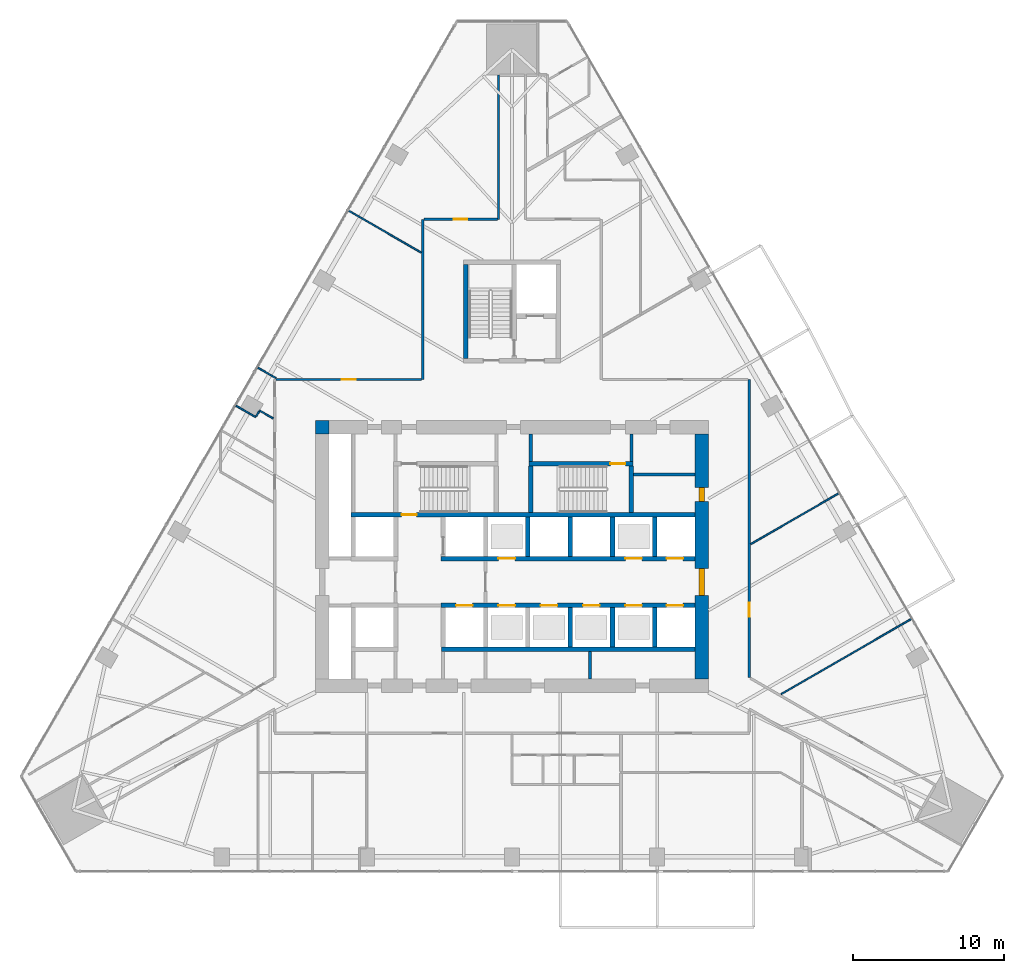
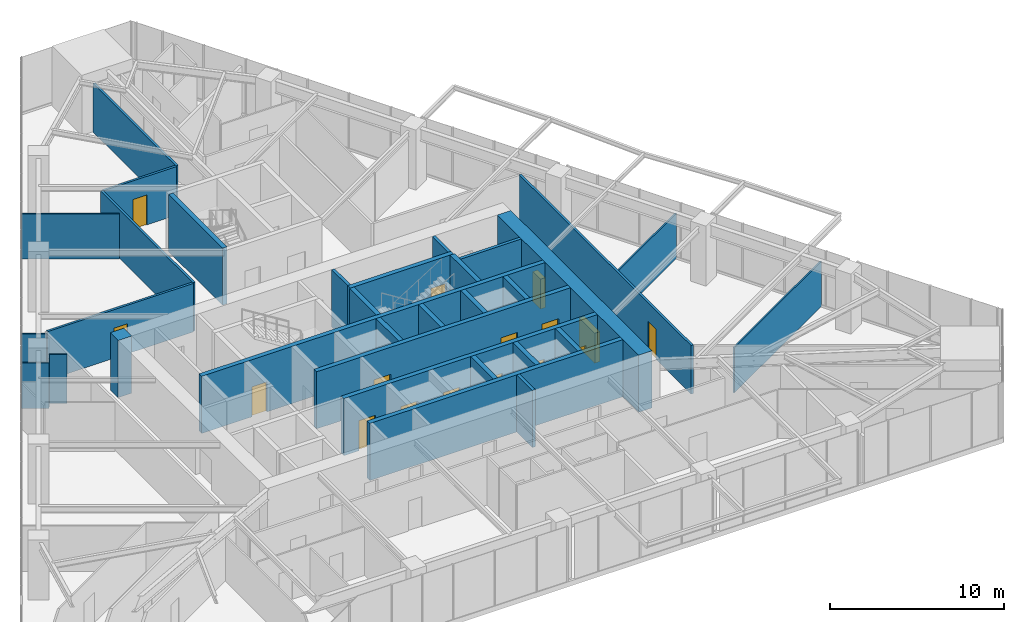
# One storey, part 25 of 29: 33 walls, 16 doors, 16 openings.
"""IFC4 building model written with IfcOpenShell, lengths in metres."""

from ifc_helpers import new_model, si_unit, direction, frame, frame_2d, origin, place, context, subcontext, project, spatial, rectangle, extrude, material, layer, layer_set, type_object, element, fill, save


model = new_model("IFC4")

# Units and contexts
model_context = context("Model", 3, precision=1e-05, world=origin(), true_north=direction((0.0, 1.0)))
body_context = subcontext(model_context, "Body", "Model", "MODEL_VIEW")
ifc_project = project(units=[si_unit("LENGTHUNIT", "METRE"), si_unit("AREAUNIT", "SQUARE_METRE"), si_unit("VOLUMEUNIT", "CUBIC_METRE"), si_unit("PLANEANGLEUNIT", "RADIAN"), si_unit("MASSUNIT", "GRAM", prefix="KILO")], contexts=[model_context])

# Site, building, storey
site_placement = place(None, origin())
site = spatial("IfcSite", under=ifc_project, at=site_placement, CompositionType="ELEMENT")
building_placement = place(site_placement, origin())
building = spatial("IfcBuilding", under=site, at=building_placement, Name="Firuza Gate Tower and Library", CompositionType="ELEMENT")
storey_placement = place(building_placement, frame((0.0, 0.0, 44.199951171875)))
storey = spatial("IfcBuildingStorey", under=building, at=storey_placement, Name="L09", CompositionType="ELEMENT", Elevation=44.199951171875)

# Walls
ifc_material_1 = material(Name="Plasterboard on steel studs", Category="steel")
ifc_layer_1 = layer(ifc_material_1, 0.199951171875)
ifc_layer_set_1 = layer_set([ifc_layer_1], Name="Core partition 200 EI 120")
wall_type_1 = type_object("IfcWallType", Name="Core partition 200 EI 120", PredefinedType="PARTITIONING", material=ifc_layer_set_1)
wall_1_placement = place(storey_placement, frame((80.175048828125, 66.89990234375, 0.0), z_axis=(0.0, 0.0, 1.0), x_axis=(0.0, 1.0, 0.0)))
element("IfcWall", 1, at=wall_1_placement, inside=storey, type_object=wall_type_1, Name="Core partition L09 15", PredefinedType="PARTITIONING", context=body_context, shape_type="SweptSolid", body=[
    extrude(rectangle(XDim=1.800048828125, YDim=0.199951171875, at=frame_2d((0.89990234375, 0.0))), origin(), (0.0, 0.0, 1.0), 4.0),
])
ifc_material_2 = material(Name="Plasterboard on steel studs", Category="steel")
ifc_layer_2 = layer(ifc_material_2, 0.199951171875)
ifc_layer_set_2 = layer_set([ifc_layer_2], Name="Core partition 200 EI 60")
wall_type_2 = type_object("IfcWallType", Name="Core partition 200 EI 60", PredefinedType="PARTITIONING", material=ifc_layer_set_2)
wall_2_placement = place(storey_placement, frame((83.050048828125, 80.425048828125, 0.0), z_axis=(0.0, 0.0, 1.0), x_axis=(1.0, 0.0, 0.0)))
element("IfcWall", 2, at=wall_2_placement, inside=storey, type_object=wall_type_2, Name="Core partition L09 4", PredefinedType="PARTITIONING", context=body_context, shape_type="SweptSolid", body=[
    extrude(rectangle(XDim=4.050048828125, YDim=0.199951171875, at=frame_2d((2.02490234375, 0.0))), origin(), (0.0, 0.0, 1.0), 4.0),
])
for number, where, z_axis, x_axis, name in (
    (3, (76.239990234375, 81.280029296875, 0.0), (0.0, 0.0, 1.0), (0.0, 1.0, 0.0), "Core partition L09 14"),
    (4, (82.89990234375, 81.280029296875, 0.0), (0.0, 0.0, 1.0), (0.0, 1.0, 0.0), "Core partition L09 16"),
):
    element("IfcWall", number, at=place(storey_placement, frame(where, z_axis=z_axis, x_axis=x_axis)), inside=storey, type_object=wall_type_2, Name=name, PredefinedType="PARTITIONING", context=body_context, shape_type="SweptSolid", body=[
        extrude(rectangle(XDim=1.820068359375, YDim=0.199951171875, at=frame_2d((0.91015625, 0.0))), origin(), (0.0, 0.0, 1.0), 4.0),
    ])
ifc_material_3 = material(Name="Concrete C80/95", Category="concrete")
ifc_layer_3 = layer(ifc_material_3, 0.300048828125)
ifc_layer_set_3 = layer_set([ifc_layer_3], Name="Core wall 300 C80/95")
wall_type_3 = type_object("IfcWallType", Name="Core wall 300 C80/95", PredefinedType="SHEAR", material=ifc_layer_set_3)
wall_3_placement = place(storey_placement, frame((70.35009765625, 68.85009765625, 0.0), z_axis=(0.0, 0.0, 1.0), x_axis=(1.0, 0.0, 0.0)))
element("IfcWall", 5, at=wall_3_placement, inside=storey, type_object=wall_type_3, Name="Core wall L09 6", PredefinedType="SHEAR", context=body_context, shape_type="SweptSolid", body=[
    extrude(rectangle(XDim=16.75, YDim=0.300048828125, at=frame_2d((8.375, 0.0))), origin(), (0.0, 0.0, 1.0), 4.0),
])

# Wall, openings, doors
wall_4_placement = place(storey_placement, frame((70.300048828125, 71.75, 0.0), z_axis=(0.0, 0.0, 1.0), x_axis=(1.0, 0.0, 0.0)))
wall_4 = element("IfcWall", 6, at=wall_4_placement, inside=storey, type_object=wall_type_3, Name="Core wall L09 8", PredefinedType="SHEAR", context=body_context, shape_type="SweptSolid", body=[
    extrude(rectangle(XDim=16.800048828125, YDim=0.300048828125, at=frame_2d((8.39990234375, 0.0))), origin(), (0.0, 0.0, 1.0), 4.0),
])
opening_1_placement = place(wall_4_placement, frame((1.0, 0.0, 0.0)))
opening_1 = element("IfcOpeningElement", 7, at=opening_1_placement, cuts=wall_4, Name="Opening LD-FF1-L09", PredefinedType="OPENING", context=body_context, shape_type="SweptSolid", body=[
    extrude(rectangle(XDim=1.10009765625, YDim=2.10009765625, at=frame_2d((0.550048828125, 1.050048828125))), frame((0.0, 0.16015625, 0.0), z_axis=(0.0, -1.0, 0.0), x_axis=(1.0, 0.0, 0.0)), (0.0, 0.0, 1.0), 0.320068359375),
])
opening_2_placement = place(wall_4_placement, frame((3.800048828125, 0.0, 0.0)))
opening_2 = element("IfcOpeningElement", 8, at=opening_2_placement, cuts=wall_4, Name="Opening LD-LR1-L09", PredefinedType="OPENING", context=body_context, shape_type="SweptSolid", body=[
    extrude(rectangle(XDim=1.10009765625, YDim=2.10009765625, at=frame_2d((0.550048828125, 1.050048828125))), frame((0.0, 0.16015625, 0.0), z_axis=(0.0, -1.0, 0.0), x_axis=(1.0, 0.0, 0.0)), (0.0, 0.0, 1.0), 0.320068359375),
])
opening_3_placement = place(wall_4_placement, frame((6.60009765625, 0.0, 0.0)))
opening_3 = element("IfcOpeningElement", 9, at=opening_3_placement, cuts=wall_4, Name="Opening LD-LR2-L09", PredefinedType="OPENING", context=body_context, shape_type="SweptSolid", body=[
    extrude(rectangle(XDim=1.10009765625, YDim=2.10009765625, at=frame_2d((0.550048828125, 1.050048828125))), frame((0.0, 0.16015625, 0.0), z_axis=(0.0, -1.0, 0.0), x_axis=(1.0, 0.0, 0.0)), (0.0, 0.0, 1.0), 0.320068359375),
])
opening_4_placement = place(wall_4_placement, frame((9.39990234375, 0.0, 0.0)))
opening_4 = element("IfcOpeningElement", 10, at=opening_4_placement, cuts=wall_4, Name="Opening LD-LR3-L09", PredefinedType="OPENING", context=body_context, shape_type="SweptSolid", body=[
    extrude(rectangle(XDim=1.10009765625, YDim=2.10009765625, at=frame_2d((0.550048828125, 1.050048828125))), frame((0.0, 0.16015625, 0.0), z_axis=(0.0, -1.0, 0.0), x_axis=(1.0, 0.0, 0.0)), (0.0, 0.0, 1.0), 0.320068359375),
])
opening_5_placement = place(wall_4_placement, frame((12.199951171875, 0.0, 0.0)))
opening_5 = element("IfcOpeningElement", 11, at=opening_5_placement, cuts=wall_4, Name="Opening LD-LR5-L09", PredefinedType="OPENING", context=body_context, shape_type="SweptSolid", body=[
    extrude(rectangle(XDim=1.10009765625, YDim=2.10009765625, at=frame_2d((0.550048828125, 1.050048828125))), frame((0.0, 0.16015625, 0.0), z_axis=(0.0, -1.0, 0.0), x_axis=(1.0, 0.0, 0.0)), (0.0, 0.0, 1.0), 0.320068359375),
])
opening_6_placement = place(wall_4_placement, frame((14.925048828125, 0.0, 0.0)))
opening_6 = element("IfcOpeningElement", 12, at=opening_6_placement, cuts=wall_4, Name="Opening LD-LR7-L09", PredefinedType="OPENING", context=body_context, shape_type="SweptSolid", body=[
    extrude(rectangle(XDim=1.10009765625, YDim=2.10009765625, at=frame_2d((0.550048828125, 1.050048828125))), frame((0.0, 0.16015625, 0.0), z_axis=(0.0, -1.0, 0.0), x_axis=(1.0, 0.0, 0.0)), (0.0, 0.0, 1.0), 0.320068359375),
])
ifc_material_4 = material(Name="Stainless steel", Category="steel")
door_type_1 = type_object("IfcDoorType", Name="Lift landing door 1100x2100", OperationType="DOUBLE_DOOR_SLIDING", PredefinedType="DOOR", material=ifc_material_4)
door_1_placement = place(opening_1_placement, origin())
door_1 = element("IfcDoor", 13, at=door_1_placement, inside=storey, type_object=door_type_1, Name="Landing door FF1 L09", OperationType="DOUBLE_DOOR_SLIDING", OverallHeight=2.10009765625, OverallWidth=1.10009765625, PredefinedType="DOOR", context=body_context, shape_type="SweptSolid", body=[
    extrude(rectangle(XDim=1.10009765625, YDim=2.10009765625, at=frame_2d((0.550048828125, 1.050048828125))), frame((0.0, 0.02490234375, 0.0), z_axis=(0.0, -1.0, 0.0), x_axis=(1.0, 0.0, 0.0)), (0.0, 0.0, 1.0), 0.050048828125),
])
fill(opening_1, door_1)
door_2_placement = place(opening_2_placement, origin())
door_2 = element("IfcDoor", 14, at=door_2_placement, inside=storey, type_object=door_type_1, Name="Landing door LR1 L09", OperationType="DOUBLE_DOOR_SLIDING", OverallHeight=2.10009765625, OverallWidth=1.10009765625, PredefinedType="DOOR", context=body_context, shape_type="SweptSolid", body=[
    extrude(rectangle(XDim=1.10009765625, YDim=2.10009765625, at=frame_2d((0.550048828125, 1.050048828125))), frame((0.0, 0.02490234375, 0.0), z_axis=(0.0, -1.0, 0.0), x_axis=(1.0, 0.0, 0.0)), (0.0, 0.0, 1.0), 0.050048828125),
])
fill(opening_2, door_2)
door_3_placement = place(opening_3_placement, origin())
door_3 = element("IfcDoor", 15, at=door_3_placement, inside=storey, type_object=door_type_1, Name="Landing door LR2 L09", OperationType="DOUBLE_DOOR_SLIDING", OverallHeight=2.10009765625, OverallWidth=1.10009765625, PredefinedType="DOOR", context=body_context, shape_type="SweptSolid", body=[
    extrude(rectangle(XDim=1.10009765625, YDim=2.10009765625, at=frame_2d((0.550048828125, 1.050048828125))), frame((0.0, 0.02490234375, 0.0), z_axis=(0.0, -1.0, 0.0), x_axis=(1.0, 0.0, 0.0)), (0.0, 0.0, 1.0), 0.050048828125),
])
fill(opening_3, door_3)
door_4_placement = place(opening_4_placement, origin())
door_4 = element("IfcDoor", 16, at=door_4_placement, inside=storey, type_object=door_type_1, Name="Landing door LR3 L09", OperationType="DOUBLE_DOOR_SLIDING", OverallHeight=2.10009765625, OverallWidth=1.10009765625, PredefinedType="DOOR", context=body_context, shape_type="SweptSolid", body=[
    extrude(rectangle(XDim=1.10009765625, YDim=2.10009765625, at=frame_2d((0.550048828125, 1.050048828125))), frame((0.0, 0.02490234375, 0.0), z_axis=(0.0, -1.0, 0.0), x_axis=(1.0, 0.0, 0.0)), (0.0, 0.0, 1.0), 0.050048828125),
])
fill(opening_4, door_4)
door_5_placement = place(opening_5_placement, origin())
door_5 = element("IfcDoor", 17, at=door_5_placement, inside=storey, type_object=door_type_1, Name="Landing door LR5 L09", OperationType="DOUBLE_DOOR_SLIDING", OverallHeight=2.10009765625, OverallWidth=1.10009765625, PredefinedType="DOOR", context=body_context, shape_type="SweptSolid", body=[
    extrude(rectangle(XDim=1.10009765625, YDim=2.10009765625, at=frame_2d((0.550048828125, 1.050048828125))), frame((0.0, 0.02490234375, 0.0), z_axis=(0.0, -1.0, 0.0), x_axis=(1.0, 0.0, 0.0)), (0.0, 0.0, 1.0), 0.050048828125),
])
fill(opening_5, door_5)
door_6_placement = place(opening_6_placement, origin())
door_6 = element("IfcDoor", 18, at=door_6_placement, inside=storey, type_object=door_type_1, Name="Landing door LR7 L09", OperationType="DOUBLE_DOOR_SLIDING", OverallHeight=2.10009765625, OverallWidth=1.10009765625, PredefinedType="DOOR", context=body_context, shape_type="SweptSolid", body=[
    extrude(rectangle(XDim=1.10009765625, YDim=2.10009765625, at=frame_2d((0.550048828125, 1.050048828125))), frame((0.0, 0.02490234375, 0.0), z_axis=(0.0, -1.0, 0.0), x_axis=(1.0, 0.0, 0.0)), (0.0, 0.0, 1.0), 0.050048828125),
])
fill(opening_6, door_6)

wall_5_placement = place(storey_placement, frame((70.300048828125, 74.85009765625, 0.0), z_axis=(0.0, 0.0, 1.0), x_axis=(1.0, 0.0, 0.0)))
wall_5 = element("IfcWall", 19, at=wall_5_placement, inside=storey, type_object=wall_type_3, Name="Core wall L09 10", PredefinedType="SHEAR", context=body_context, shape_type="SweptSolid", body=[
    extrude(rectangle(XDim=16.800048828125, YDim=0.300048828125, at=frame_2d((8.39990234375, 0.0))), origin(), (0.0, 0.0, 1.0), 4.0),
])
opening_7_placement = place(wall_5_placement, frame((3.800048828125, 0.0, 0.0)))
opening_7 = element("IfcOpeningElement", 20, at=opening_7_placement, cuts=wall_5, Name="Opening LD-LR4-L09", PredefinedType="OPENING", context=body_context, shape_type="SweptSolid", body=[
    extrude(rectangle(XDim=1.10009765625, YDim=2.10009765625, at=frame_2d((0.550048828125, 1.050048828125))), frame((0.0, 0.16015625, 0.0), z_axis=(0.0, -1.0, 0.0), x_axis=(1.0, 0.0, 0.0)), (0.0, 0.0, 1.0), 0.320068359375),
])
opening_8_placement = place(wall_5_placement, frame((12.199951171875, 0.0, 0.0)))
opening_8 = element("IfcOpeningElement", 21, at=opening_8_placement, cuts=wall_5, Name="Opening LD-LR6-L09", PredefinedType="OPENING", context=body_context, shape_type="SweptSolid", body=[
    extrude(rectangle(XDim=1.10009765625, YDim=2.10009765625, at=frame_2d((0.550048828125, 1.050048828125))), frame((0.0, 0.16015625, 0.0), z_axis=(0.0, -1.0, 0.0), x_axis=(1.0, 0.0, 0.0)), (0.0, 0.0, 1.0), 0.320068359375),
])
opening_9_placement = place(wall_5_placement, frame((14.925048828125, 0.0, 0.0)))
opening_9 = element("IfcOpeningElement", 22, at=opening_9_placement, cuts=wall_5, Name="Opening LD-LR8-L09", PredefinedType="OPENING", context=body_context, shape_type="SweptSolid", body=[
    extrude(rectangle(XDim=1.10009765625, YDim=2.10009765625, at=frame_2d((0.550048828125, 1.050048828125))), frame((0.0, 0.16015625, 0.0), z_axis=(0.0, -1.0, 0.0), x_axis=(1.0, 0.0, 0.0)), (0.0, 0.0, 1.0), 0.320068359375),
])
door_7_placement = place(opening_7_placement, origin())
door_7 = element("IfcDoor", 23, at=door_7_placement, inside=storey, type_object=door_type_1, Name="Landing door LR4 L09", OperationType="DOUBLE_DOOR_SLIDING", OverallHeight=2.10009765625, OverallWidth=1.10009765625, PredefinedType="DOOR", context=body_context, shape_type="SweptSolid", body=[
    extrude(rectangle(XDim=1.10009765625, YDim=2.10009765625, at=frame_2d((0.550048828125, 1.050048828125))), frame((0.0, 0.02490234375, 0.0), z_axis=(0.0, -1.0, 0.0), x_axis=(1.0, 0.0, 0.0)), (0.0, 0.0, 1.0), 0.050048828125),
])
fill(opening_7, door_7)
door_8_placement = place(opening_8_placement, origin())
door_8 = element("IfcDoor", 24, at=door_8_placement, inside=storey, type_object=door_type_1, Name="Landing door LR6 L09", OperationType="DOUBLE_DOOR_SLIDING", OverallHeight=2.10009765625, OverallWidth=1.10009765625, PredefinedType="DOOR", context=body_context, shape_type="SweptSolid", body=[
    extrude(rectangle(XDim=1.10009765625, YDim=2.10009765625, at=frame_2d((0.550048828125, 1.050048828125))), frame((0.0, 0.02490234375, 0.0), z_axis=(0.0, -1.0, 0.0), x_axis=(1.0, 0.0, 0.0)), (0.0, 0.0, 1.0), 0.050048828125),
])
fill(opening_8, door_8)
door_9_placement = place(opening_9_placement, origin())
door_9 = element("IfcDoor", 25, at=door_9_placement, inside=storey, type_object=door_type_1, Name="Landing door LR8 L09", OperationType="DOUBLE_DOOR_SLIDING", OverallHeight=2.10009765625, OverallWidth=1.10009765625, PredefinedType="DOOR", context=body_context, shape_type="SweptSolid", body=[
    extrude(rectangle(XDim=1.10009765625, YDim=2.10009765625, at=frame_2d((0.550048828125, 1.050048828125))), frame((0.0, 0.02490234375, 0.0), z_axis=(0.0, -1.0, 0.0), x_axis=(1.0, 0.0, 0.0)), (0.0, 0.0, 1.0), 0.050048828125),
])
fill(opening_9, door_9)

# Walls
for number, where, z_axis, x_axis, name in (
    (26, (76.050048828125, 75.0, 0.0), (0.0, 0.0, 1.0), (0.0, 1.0, 0.0), "Core wall L09 20"),
    (27, (78.85009765625, 69.0, 0.0), (0.0, 0.0, 1.0), (0.0, 1.0, 0.0), "Core wall L09 21"),
    (28, (78.85009765625, 75.0, 0.0), (0.0, 0.0, 1.0), (0.0, 1.0, 0.0), "Core wall L09 22"),
    (29, (81.64990234375, 69.0, 0.0), (0.0, 0.0, 1.0), (0.0, 1.0, 0.0), "Core wall L09 23"),
    (30, (81.64990234375, 75.0, 0.0), (0.0, 0.0, 1.0), (0.0, 1.0, 0.0), "Core wall L09 24"),
    (31, (84.449951171875, 69.0, 0.0), (0.0, 0.0, 1.0), (0.0, 1.0, 0.0), "Core wall L09 25"),
    (32, (84.449951171875, 75.0, 0.0), (0.0, 0.0, 1.0), (0.0, 1.0, 0.0), "Core wall L09 26"),
):
    element("IfcWall", number, at=place(storey_placement, frame(where, z_axis=z_axis, x_axis=x_axis)), inside=storey, type_object=wall_type_3, Name=name, PredefinedType="SHEAR", context=body_context, shape_type="SweptSolid", body=[
        extrude(rectangle(XDim=2.60009765625, YDim=0.300048828125, at=frame_2d((1.300048828125, 0.0))), origin(), (0.0, 0.0, 1.0), 4.0),
    ])

# Wall, opening, door
wall_6_placement = place(storey_placement, frame((64.35009765625, 77.75, 0.0), z_axis=(0.0, 0.0, 1.0), x_axis=(1.0, 0.0, 0.0)))
wall_6 = element("IfcWall", 33, at=wall_6_placement, inside=storey, type_object=wall_type_3, Name="Core wall L09 27", PredefinedType="SHEAR", context=body_context, shape_type="SweptSolid", body=[
    extrude(rectangle(XDim=22.75, YDim=0.300048828125, at=frame_2d((11.375, 0.0))), origin(), (0.0, 0.0, 1.0), 4.0),
])
opening_10_placement = place(wall_6_placement, frame((3.344970703125, 0.0, 0.0)))
opening_10 = element("IfcOpeningElement", 34, at=opening_10_placement, cuts=wall_6, Name="Opening L09-K12", PredefinedType="OPENING", context=body_context, shape_type="SweptSolid", body=[
    extrude(rectangle(XDim=1.0, YDim=2.10009765625, at=frame_2d((0.5, 1.050048828125))), frame((0.0, 0.16015625, 0.0), z_axis=(0.0, -1.0, 0.0), x_axis=(1.0, 0.0, 0.0)), (0.0, 0.0, 1.0), 0.320068359375),
])
ifc_material_5 = material(Name="Steel", Category="steel")
door_type_2 = type_object("IfcDoorType", Name="Fire door 1000x2100 FD90", OperationType="NOTDEFINED", PredefinedType="DOOR", material=ifc_material_5)
door_10_placement = place(opening_10_placement, origin())
door_10 = element("IfcDoor", 35, at=door_10_placement, inside=storey, type_object=door_type_2, Name="Door L09-K12", OperationType="SINGLE_SWING_LEFT", OverallHeight=2.10009765625, OverallWidth=1.0, PredefinedType="DOOR", context=body_context, shape_type="SweptSolid", body=[
    extrude(rectangle(XDim=1.0, YDim=2.10009765625, at=frame_2d((0.5, 1.050048828125))), frame((0.0, 0.02490234375, 0.0), z_axis=(0.0, -1.0, 0.0), x_axis=(1.0, 0.0, 0.0)), (0.0, 0.0, 1.0), 0.050048828125),
])
fill(opening_10, door_10)

wall_7_placement = place(storey_placement, frame((76.139892578125, 81.1298828125, 0.0), z_axis=(0.0, 0.0, 1.0), x_axis=(1.0, 0.0, 0.0)))
wall_7 = element("IfcWall", 36, at=wall_7_placement, inside=storey, type_object=wall_type_3, Name="Core wall L09 29", PredefinedType="SHEAR", context=body_context, shape_type="SweptSolid", body=[
    extrude(rectangle(XDim=6.860107421875, YDim=0.300048828125, at=frame_2d((3.43017578125, 0.0))), origin(), (0.0, 0.0, 1.0), 4.0),
])
opening_11_placement = place(wall_7_placement, frame((5.364990234375, 0.0, 0.0)))
opening_11 = element("IfcOpeningElement", 37, at=opening_11_placement, cuts=wall_7, Name="Opening L09-K15", PredefinedType="OPENING", context=body_context, shape_type="SweptSolid", body=[
    extrude(rectangle(XDim=1.0, YDim=2.10009765625, at=frame_2d((0.5, 1.050048828125))), frame((0.0, 0.16015625, 0.0), z_axis=(0.0, -1.0, 0.0), x_axis=(1.0, 0.0, 0.0)), (0.0, 0.0, 1.0), 0.320068359375),
])
door_11_placement = place(opening_11_placement, origin())
door_11 = element("IfcDoor", 38, at=door_11_placement, inside=storey, type_object=door_type_2, Name="Door L09-K15", OperationType="SINGLE_SWING_RIGHT", OverallHeight=2.10009765625, OverallWidth=1.0, PredefinedType="DOOR", context=body_context, shape_type="SweptSolid", body=[
    extrude(rectangle(XDim=1.0, YDim=2.10009765625, at=frame_2d((0.5, 1.050048828125))), frame((0.0, 0.02490234375, 0.0), z_axis=(0.0, -1.0, 0.0), x_axis=(1.0, 0.0, 0.0)), (0.0, 0.0, 1.0), 0.050048828125),
])
fill(opening_11, door_11)

# Walls
for number, where, z_axis, x_axis, name in (
    (39, (76.239990234375, 77.89990234375, 0.0), (0.0, 0.0, 1.0), (0.0, 1.0, 0.0), "Core wall L09 32"),
    (40, (82.89990234375, 77.89990234375, 0.0), (0.0, 0.0, 1.0), (0.0, 1.0, 0.0), "Core wall L09 33"),
):
    element("IfcWall", number, at=place(storey_placement, frame(where, z_axis=z_axis, x_axis=x_axis)), inside=storey, type_object=wall_type_3, Name=name, PredefinedType="SHEAR", context=body_context, shape_type="SweptSolid", body=[
        extrude(rectangle(XDim=3.080078125, YDim=0.300048828125, at=frame_2d((1.5400390625, 0.0))), origin(), (0.0, 0.0, 1.0), 4.0),
    ])
wall_8_placement = place(storey_placement, frame((71.949951171875, 88.10009765625, 0.0), z_axis=(0.0, 0.0, 1.0), x_axis=(0.0, 1.0, 0.0)))
element("IfcWall", 41, at=wall_8_placement, inside=storey, type_object=wall_type_3, Name="Core wall L09 36", PredefinedType="SHEAR", context=body_context, shape_type="SweptSolid", body=[
    extrude(rectangle(XDim=6.199951171875, YDim=0.300048828125, at=frame_2d((3.10009765625, 0.0))), origin(), (0.0, 0.0, 1.0), 4.0),
])

# Wall, openings, doors
ifc_material_6 = material(Name="Concrete C80/95", Category="concrete")
ifc_layer_4 = layer(ifc_material_6, 0.89990234375)
ifc_layer_set_4 = layer_set([ifc_layer_4], Name="Core wall 900 C80/95")
wall_type_4 = type_object("IfcWallType", Name="Core wall 900 C80/95", PredefinedType="SHEAR", material=ifc_layer_set_4)
wall_9_placement = place(storey_placement, frame((87.550048828125, 66.89990234375, 0.0), z_axis=(0.0, 0.0, 1.0), x_axis=(0.0, 1.0, 0.0)))
wall_9 = element("IfcWall", 42, at=wall_9_placement, inside=storey, type_object=wall_type_4, Name="Core wall L09 4", PredefinedType="SHEAR", context=body_context, shape_type="SweptSolid", body=[
    extrude(rectangle(XDim=16.2001953125, YDim=0.89990234375, at=frame_2d((8.10009765625, 0.0))), origin(), (0.0, 0.0, 1.0), 4.0),
])
opening_12_placement = place(wall_9_placement, frame((5.5, 0.0, 0.0)))
opening_12 = element("IfcOpeningElement", 43, at=opening_12_placement, cuts=wall_9, Name="Opening L09-K23", PredefinedType="OPENING", context=body_context, shape_type="SweptSolid", body=[
    extrude(rectangle(XDim=1.800048828125, YDim=2.10009765625, at=frame_2d((0.89990234375, 1.050048828125))), frame((0.0, 0.4599609375, 0.0), z_axis=(0.0, -1.0, 0.0), x_axis=(1.0, 0.0, 0.0)), (0.0, 0.0, 1.0), 0.919921875),
])
opening_13_placement = place(wall_9_placement, frame((11.737548828125, 0.0, 0.0)))
opening_13 = element("IfcOpeningElement", 44, at=opening_13_placement, cuts=wall_9, Name="Opening L09-K31", PredefinedType="OPENING", context=body_context, shape_type="SweptSolid", body=[
    extrude(rectangle(XDim=0.89990234375, YDim=2.10009765625, at=frame_2d((0.449951171875, 1.050048828125))), frame((0.0, 0.4599609375, 0.0), z_axis=(0.0, -1.0, 0.0), x_axis=(1.0, 0.0, 0.0)), (0.0, 0.0, 1.0), 0.919921875),
])
ifc_material_7 = material(Name="Steel", Category="steel")
door_type_3 = type_object("IfcDoorType", Name="Fire door 1800x2100 FD30S", OperationType="NOTDEFINED", PredefinedType="DOOR", material=ifc_material_7)
door_12_placement = place(opening_12_placement, origin())
door_12 = element("IfcDoor", 45, at=door_12_placement, inside=storey, type_object=door_type_3, Name="Door L09-K23", OperationType="SINGLE_SWING_RIGHT", OverallHeight=2.10009765625, OverallWidth=1.800048828125, PredefinedType="DOOR", context=body_context, shape_type="SweptSolid", body=[
    extrude(rectangle(XDim=1.800048828125, YDim=2.10009765625, at=frame_2d((0.89990234375, 1.050048828125))), frame((0.0, 0.169921875, 0.0), z_axis=(0.0, -1.0, 0.0), x_axis=(1.0, 0.0, 0.0)), (0.0, 0.0, 1.0), 0.33984375),
])
fill(opening_12, door_12)
ifc_material_8 = material(Name="Steel", Category="steel")
door_type_4 = type_object("IfcDoorType", Name="Fire door 900x2100 FD30S", OperationType="NOTDEFINED", PredefinedType="DOOR", material=ifc_material_8)
door_13_placement = place(opening_13_placement, origin())
door_13 = element("IfcDoor", 46, at=door_13_placement, inside=storey, type_object=door_type_4, Name="Door L09-K31", OperationType="SINGLE_SWING_RIGHT", OverallHeight=2.10009765625, OverallWidth=0.89990234375, PredefinedType="DOOR", context=body_context, shape_type="SweptSolid", body=[
    extrude(rectangle(XDim=0.89990234375, YDim=2.10009765625, at=frame_2d((0.449951171875, 1.050048828125))), frame((0.0, 0.169921875, 0.0), z_axis=(0.0, -1.0, 0.0), x_axis=(1.0, 0.0, 0.0)), (0.0, 0.0, 1.0), 0.33984375),
])
fill(opening_13, door_13)

# Wall
wall_10_placement = place(storey_placement, frame((62.0, 83.550048828125, 0.0), z_axis=(0.0, 0.0, 1.0), x_axis=(1.0, 0.0, 0.0)))
element("IfcWall", 47, at=wall_10_placement, inside=storey, type_object=wall_type_4, Name="Core wall L09 40", PredefinedType="SHEAR", context=body_context, shape_type="SweptSolid", body=[
    extrude(rectangle(XDim=0.89990234375, YDim=0.89990234375, at=frame_2d((0.449951171875, 0.0))), origin(), (0.0, 0.0, 1.0), 4.0),
])

# Wall, opening, door
ifc_material_9 = material(Name="Gypsum board partition")
ifc_layer_5 = layer(ifc_material_9, 0.14990234375)
ifc_layer_set_5 = layer_set([ifc_layer_5], Name="Corridor wall 150 double board on steel studs")
wall_type_5 = type_object("IfcWallType", Name="Corridor wall 150 double board on steel studs", PredefinedType="PARTITIONING", material=ifc_layer_set_5)
wall_11_placement = place(storey_placement, frame((59.37548828125, 86.699951171875, 0.0), z_axis=(0.0, 0.0, 1.0), x_axis=(1.0, 0.0, 0.0)))
wall_11 = element("IfcWall", 48, at=wall_11_placement, inside=storey, type_object=wall_type_5, Name="f:L09:w007", PredefinedType="PARTITIONING", context=body_context, shape_type="SweptSolid", body=[
    extrude(rectangle(XDim=9.6494140625, YDim=0.14990234375, at=frame_2d((4.82470703125, 0.0))), origin(), (0.0, 0.0, 1.0), 3.400146484375),
])
opening_14_placement = place(wall_11_placement, frame((4.374755859375, 0.0, 0.0)))
opening_14 = element("IfcOpeningElement", 49, at=opening_14_placement, cuts=wall_11, Name="Opening L09-11", PredefinedType="OPENING", context=body_context, shape_type="SweptSolid", body=[
    extrude(rectangle(XDim=0.89990234375, YDim=2.10009765625, at=frame_2d((0.449951171875, 1.050048828125))), frame((0.0, 0.0849609375, 0.0), z_axis=(0.0, -1.0, 0.0), x_axis=(1.0, 0.0, 0.0)), (0.0, 0.0, 1.0), 0.169921875),
])
ifc_material_10 = material(Name="Steel door and timber leaf", Category="steel")
door_type_5 = type_object("IfcDoorType", Name="Fire door 900 x 2100 steel frame, timber leaf", OperationType="NOTDEFINED", PredefinedType="DOOR", material=ifc_material_10)
door_14_placement = place(opening_14_placement, origin())
door_14 = element("IfcDoor", 50, at=door_14_placement, inside=storey, type_object=door_type_5, Name="f:L09:d011", OperationType="SINGLE_SWING_RIGHT", OverallHeight=2.10009765625, OverallWidth=0.89990234375, PredefinedType="DOOR", context=body_context, shape_type="SweptSolid", body=[
    extrude(rectangle(XDim=0.89990234375, YDim=2.10009765625, at=frame_2d((0.449951171875, 1.050048828125))), frame((0.0, 0.02490234375, 0.0), z_axis=(0.0, -1.0, 0.0), x_axis=(1.0, 0.0, 0.0)), (0.0, 0.0, 1.0), 0.050048828125),
])
fill(opening_14, door_14)

wall_12_placement = place(storey_placement, frame((69.175537109375, 97.300048828125, 0.0), z_axis=(0.0, 0.0, 1.0), x_axis=(1.0, 0.0, 0.0)))
wall_12 = element("IfcWall", 51, at=wall_12_placement, inside=storey, type_object=wall_type_5, Name="f:L09:w009", PredefinedType="PARTITIONING", context=body_context, shape_type="SweptSolid", body=[
    extrude(rectangle(XDim=4.849365234375, YDim=0.14990234375, at=frame_2d((2.4248046875, 0.0))), origin(), (0.0, 0.0, 1.0), 3.400146484375),
])
opening_15_placement = place(wall_12_placement, frame((1.974853515625, 0.0, 0.0)))
opening_15 = element("IfcOpeningElement", 52, at=opening_15_placement, cuts=wall_12, Name="Opening L09-13", PredefinedType="OPENING", context=body_context, shape_type="SweptSolid", body=[
    extrude(rectangle(XDim=0.89990234375, YDim=2.10009765625, at=frame_2d((0.449951171875, 1.050048828125))), frame((0.0, 0.0849609375, 0.0), z_axis=(0.0, -1.0, 0.0), x_axis=(1.0, 0.0, 0.0)), (0.0, 0.0, 1.0), 0.169921875),
])
door_15_placement = place(opening_15_placement, origin())
door_15 = element("IfcDoor", 53, at=door_15_placement, inside=storey, type_object=door_type_5, Name="f:L09:d013", OperationType="SINGLE_SWING_LEFT", OverallHeight=2.10009765625, OverallWidth=0.89990234375, PredefinedType="DOOR", context=body_context, shape_type="SweptSolid", body=[
    extrude(rectangle(XDim=0.89990234375, YDim=2.10009765625, at=frame_2d((0.449951171875, 1.050048828125))), frame((0.0, 0.02490234375, 0.0), z_axis=(0.0, -1.0, 0.0), x_axis=(1.0, 0.0, 0.0)), (0.0, 0.0, 1.0), 0.050048828125),
])
fill(opening_15, door_15)

wall_13_placement = place(storey_placement, frame((90.699951171875, 86.699462890625, 0.0), z_axis=(0.0, 0.0, 1.0), x_axis=(0.0, -1.0, 0.0)))
wall_13 = element("IfcWall", 54, at=wall_13_placement, inside=storey, type_object=wall_type_5, Name="f:L09:w031", PredefinedType="PARTITIONING", context=body_context, shape_type="SweptSolid", body=[
    extrude(rectangle(XDim=19.724609375, YDim=0.14990234375, at=frame_2d((9.8623046875, 0.0))), origin(), (0.0, 0.0, 1.0), 3.400146484375),
])
opening_16_placement = place(wall_13_placement, frame((14.78515625, 0.0, 0.0)))
opening_16 = element("IfcOpeningElement", 55, at=opening_16_placement, cuts=wall_13, Name="Opening L09-21", PredefinedType="OPENING", context=body_context, shape_type="SweptSolid", body=[
    extrude(rectangle(XDim=0.89990234375, YDim=2.10009765625, at=frame_2d((0.449951171875, 1.050048828125))), frame((0.0, 0.0849609375, 0.0), z_axis=(0.0, -1.0, 0.0), x_axis=(1.0, 0.0, 0.0)), (0.0, 0.0, 1.0), 0.169921875),
])
door_16_placement = place(opening_16_placement, origin())
door_16 = element("IfcDoor", 56, at=door_16_placement, inside=storey, type_object=door_type_5, Name="f:L09:d021", OperationType="SINGLE_SWING_RIGHT", OverallHeight=2.10009765625, OverallWidth=0.89990234375, PredefinedType="DOOR", context=body_context, shape_type="SweptSolid", body=[
    extrude(rectangle(XDim=0.89990234375, YDim=2.10009765625, at=frame_2d((0.449951171875, 1.050048828125))), frame((0.0, 0.02490234375, 0.0), z_axis=(0.0, -1.0, 0.0), x_axis=(1.0, 0.0, 0.0)), (0.0, 0.0, 1.0), 0.050048828125),
])
fill(opening_16, door_16)

# Walls
wall_14_placement = place(storey_placement, frame((74.10009765625, 97.300048828125, 0.0), z_axis=(0.0, 0.0, 1.0), x_axis=(0.0, 1.0, 0.0)))
element("IfcWall", 57, at=wall_14_placement, inside=storey, type_object=wall_type_5, Name="f:L09:w043", PredefinedType="PARTITIONING", context=body_context, shape_type="SweptSolid", body=[
    extrude(rectangle(XDim=9.533203125, YDim=0.14990234375, at=frame_2d((4.7666015625, 0.0))), origin(), (0.0, 0.0, 1.0), 3.400146484375),
])
wall_15_placement = place(storey_placement, frame((69.10009765625, 86.699951171875, 0.0), z_axis=(0.0, 0.0, 1.0), x_axis=(0.0, 1.0, 0.0)))
element("IfcWall", 58, at=wall_15_placement, inside=storey, type_object=wall_type_5, Name="f:L09:w044", PredefinedType="PARTITIONING", context=body_context, shape_type="SweptSolid", body=[
    extrude(rectangle(XDim=10.599609375, YDim=0.14990234375, at=frame_2d((5.2998046875, 0.0))), origin(), (0.0, 0.0, 1.0), 3.400146484375),
])
ifc_material_11 = material(Name="Gypsum board partition")
ifc_layer_6 = layer(ifc_material_11, 0.10009765625)
ifc_layer_set_6 = layer_set([ifc_layer_6], Name="Partition 100 gypsum board on steel studs")
wall_type_6 = type_object("IfcWallType", Name="Partition 100 gypsum board on steel studs", PredefinedType="PARTITIONING", material=ifc_layer_set_6)
wall_16_placement = place(storey_placement, frame((92.801025390625, 65.87841796875, 0.0), z_axis=(0.0, 0.0, 1.0), x_axis=(0.86602359872, 0.50000312645, 0.0)))
element("IfcWall", 59, at=wall_16_placement, inside=storey, type_object=wall_type_6, Name="f:L09:w014", PredefinedType="PARTITIONING", context=body_context, shape_type="SweptSolid", body=[
    extrude(rectangle(XDim=9.9892578125, YDim=0.10009765625, at=frame_2d((4.99462890625, 0.0))), origin(), (0.0, 0.0, 1.0), 3.1650390625),
])
wall_17_placement = place(storey_placement, frame((90.801025390625, 75.808837890625, 0.0), z_axis=(0.0, 0.0, 1.0), x_axis=(0.866012872937, 0.500021703436, 0.0)))
element("IfcWall", 60, at=wall_17_placement, inside=storey, type_object=wall_type_6, Name="f:L09:w015", PredefinedType="PARTITIONING", context=body_context, shape_type="SweptSolid", body=[
    extrude(rectangle(XDim=6.756103515625, YDim=0.10009765625, at=frame_2d((3.3779296875, 0.0))), origin(), (0.0, 0.0, 1.0), 3.1650390625),
])
wall_18_placement = place(storey_placement, frame((58.078857421875, 84.261474609375, 0.0), z_axis=(0.0, 0.0, 1.0), x_axis=(0.499776670437, 0.866154304779, 0.0)))
element("IfcWall", 61, at=wall_18_placement, inside=storey, type_object=wall_type_6, Name="f:L09:w027", PredefinedType="PARTITIONING", context=body_context, shape_type="SweptSolid", body=[
    extrude(rectangle(XDim=0.389892578125, YDim=0.10009765625, at=frame_2d((0.19482421875, 0.0))), origin(), (0.0, 0.0, 1.0), 3.400146484375),
])
wall_19_placement = place(storey_placement, frame((68.9990234375, 95.092529296875, 0.0), z_axis=(0.0, 0.0, 1.0), x_axis=(-0.866032434152, 0.499987822848, 0.0)))
element("IfcWall", 62, at=wall_19_placement, inside=storey, type_object=wall_type_6, Name="f:L09:w054", PredefinedType="PARTITIONING", context=body_context, shape_type="SweptSolid", body=[
    extrude(rectangle(XDim=5.601318359375, YDim=0.10009765625, at=frame_2d((2.80078125, 0.0))), origin(), (0.0, 0.0, 1.0), 3.1650390625),
])
wall_20_placement = place(storey_placement, frame((59.379150390625, 86.7900390625, 0.0), z_axis=(0.0, 0.0, 1.0), x_axis=(-0.866025408043, 0.499999992624, 0.0)))
element("IfcWall", 63, at=wall_20_placement, inside=storey, type_object=wall_type_6, Name="f:L09:w055", PredefinedType="PARTITIONING", context=body_context, shape_type="SweptSolid", body=[
    extrude(rectangle(XDim=1.42138671875, YDim=0.10009765625, at=frame_2d((0.710693359375, 0.0))), origin(), (0.0, 0.0, 1.0), 3.1650390625),
])
wall_21_placement = place(storey_placement, frame((59.198974609375, 84.122802734375, 0.0), z_axis=(0.0, 0.0, 1.0), x_axis=(-0.866036909293, 0.499980071345, 0.0)))
element("IfcWall", 64, at=wall_21_placement, inside=storey, type_object=wall_type_6, Name="f:L09:w057", PredefinedType="PARTITIONING", context=body_context, shape_type="SweptSolid", body=[
    extrude(rectangle(XDim=1.0390625, YDim=0.10009765625, at=frame_2d((0.51953125, 0.0))), origin(), (0.0, 0.0, 1.0), 3.400146484375),
])
wall_22_placement = place(storey_placement, frame((58.049072265625, 84.20947265625, 0.0), z_axis=(0.0, 0.0, 1.0), x_axis=(-0.866096984875, 0.499875997414, 0.0)))
element("IfcWall", 65, at=wall_22_placement, inside=storey, type_object=wall_type_6, Name="f:L09:w058", PredefinedType="PARTITIONING", context=body_context, shape_type="SweptSolid", body=[
    extrude(rectangle(XDim=1.56005859375, YDim=0.10009765625, at=frame_2d((0.780029296875, 0.0))), origin(), (0.0, 0.0, 1.0), 3.1650390625),
])

save(model, "model.ifc")
